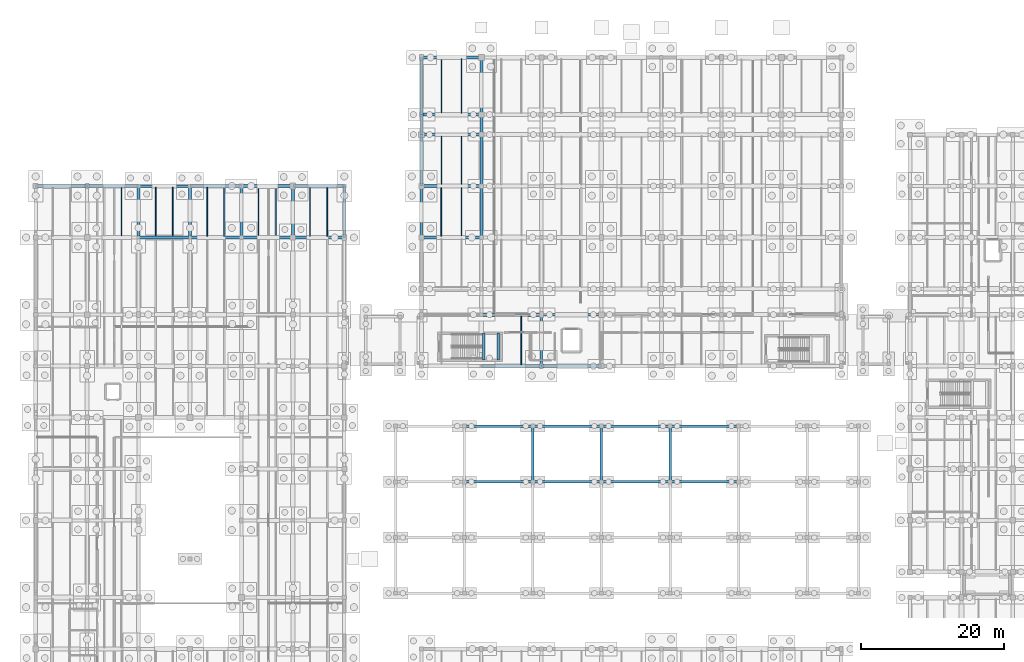
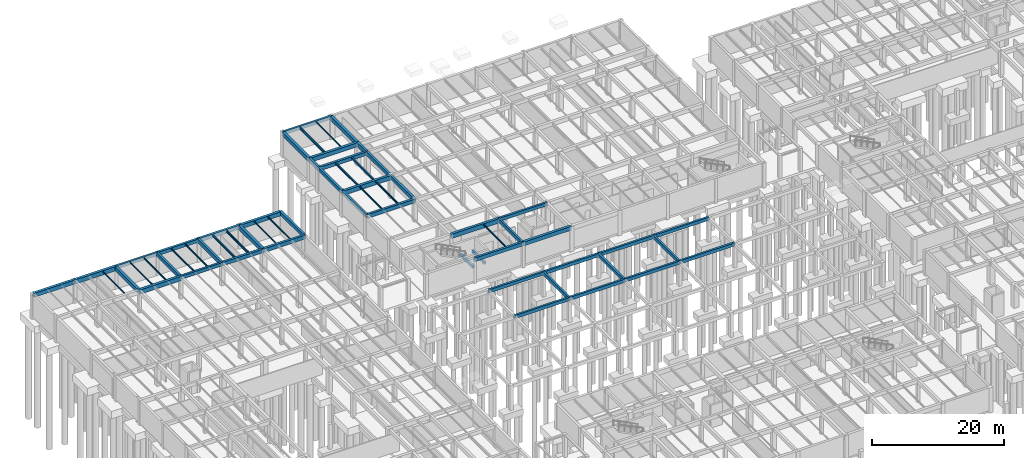
# One storey, part 30 of 63: 62 beams.
"""IFC4 building model written with IfcOpenShell, lengths in metres."""

from ifc_helpers import new_model, si_unit, direction, frame, origin, origin_2d, place, context, subcontext, project, spatial, rectangle, i_section, extrude, material, material_profile, profile_set, type_object, element, save


model = new_model("IFC4")

# Units and contexts
model_context = context("Model", 3, precision=1e-05, world=origin(), true_north=direction((0.0, 1.0)))
body_context = subcontext(model_context, "Body", "Model", "MODEL_VIEW")
ifc_project = project(units=[si_unit("LENGTHUNIT", "METRE"), si_unit("AREAUNIT", "SQUARE_METRE"), si_unit("VOLUMEUNIT", "CUBIC_METRE"), si_unit("PLANEANGLEUNIT", "RADIAN"), si_unit("MASSUNIT", "GRAM", prefix="KILO")], contexts=[model_context])

# Site, building, storey
site_placement = place(None, origin())
site = spatial("IfcSite", under=ifc_project, at=site_placement, CompositionType="ELEMENT")
building_placement = place(site_placement, origin())
building = spatial("IfcBuilding", under=site, at=building_placement, Name="Mazaris Harbour Polytechnic", CompositionType="ELEMENT")
storey_placement = place(building_placement, frame((0.0, 0.0, -4.5)))
storey = spatial("IfcBuildingStorey", under=building, at=storey_placement, Name="B1", CompositionType="ELEMENT", Elevation=-4.5)

# Beams
ifc_material_1 = material(Name="Concrete C35/45", Category="concrete")
ifc_material_profile_1 = material_profile(ifc_material_1, rectangle(XDim=0.35009765625, YDim=0.60009765625, at=origin_2d()), Name="RECT350x600")
ifc_profile_set_1 = profile_set([ifc_material_profile_1], Name="Concrete C35/45")
beam_type_1 = type_object("IfcBeamType", Name="RC Girder 350x600", PredefinedType="BEAM", material=ifc_profile_set_1)
beam_1_placement = place(storey_placement, frame((70.800048828125, 82.800048828125, 3.85009765625), z_axis=(1.0, 0.0, 0.0), x_axis=(0.0, 1.0, 0.0)))
element("IfcBeam", 1, at=beam_1_placement, inside=storey, type_object=beam_type_1, Name="V1 B1 Girder 10", PredefinedType="BEAM", context=body_context, shape_type="SweptSolid", body=[
    extrude(rectangle(XDim=0.35009765625, YDim=0.60009765625, at=origin_2d()), origin(), (0.0, 0.0, 1.0), 8.39990234375),
])
for number, where, z_axis, x_axis, name in (
    (2, (70.800048828125, 75.60009765625, 3.85009765625), (0.0, 1.0, 0.0), (-1.0, 0.0, 0.0), "V1 B1 Tie Girder 70"),
    (3, (21.60009765625, 93.60009765625, 3.8798828125), (1.0, 0.0, 0.0), (0.0, 1.0, 0.0), "V4 B1 Girder 1145"),
):
    element("IfcBeam", number, at=place(storey_placement, frame(where, z_axis=z_axis, x_axis=x_axis)), inside=storey, type_object=beam_type_1, Name=name, PredefinedType="BEAM", context=body_context, shape_type="SweptSolid", body=[
        extrude(rectangle(XDim=0.35009765625, YDim=0.60009765625, at=origin_2d()), origin(), (0.0, 0.0, 1.0), 7.199951171875),
    ])
beam_2_placement = place(storey_placement, frame((60.0, 59.39990234375, 3.89990234375), z_axis=(1.0, 0.0, 0.0), x_axis=(0.0, 1.0, 0.0)))
element("IfcBeam", 4, at=beam_2_placement, inside=storey, type_object=beam_type_1, Name="Courtyard Deck Girder X-3518", PredefinedType="BEAM", context=body_context, shape_type="SweptSolid", body=[
    extrude(rectangle(XDim=0.35009765625, YDim=0.60009765625, at=origin_2d()), origin(), (0.0, 0.0, 1.0), 9.60009765625),
])
beam_3_placement = place(storey_placement, frame((69.60009765625, 59.39990234375, 3.89990234375), z_axis=(1.0, 0.0, 0.0), x_axis=(0.0, 1.0, 0.0)))
element("IfcBeam", 5, at=beam_3_placement, inside=storey, type_object=beam_type_1, Name="Courtyard Deck Girder X-3519", PredefinedType="BEAM", context=body_context, shape_type="SweptSolid", body=[
    extrude(rectangle(XDim=0.35009765625, YDim=0.60009765625, at=origin_2d()), origin(), (0.0, 0.0, 1.0), 9.599853515625),
])
beam_4_placement = place(storey_placement, frame((79.199951171875, 59.39990234375, 3.89990234375), z_axis=(1.0, 0.0, 0.0), x_axis=(0.0, 1.0, 0.0)))
element("IfcBeam", 6, at=beam_4_placement, inside=storey, type_object=beam_type_1, Name="Courtyard Deck Girder X-3520", PredefinedType="BEAM", context=body_context, shape_type="SweptSolid", body=[
    extrude(rectangle(XDim=0.35009765625, YDim=0.60009765625, at=origin_2d()), origin(), (0.0, 0.0, 1.0), 9.60009765625),
])
beam_5_placement = place(storey_placement, frame((88.800048828125, 59.39990234375, 3.89990234375), z_axis=(1.0, 0.0, 0.0), x_axis=(0.0, 1.0, 0.0)))
element("IfcBeam", 7, at=beam_5_placement, inside=storey, type_object=beam_type_1, Name="Courtyard Deck Girder X-3521", PredefinedType="BEAM", context=body_context, shape_type="SweptSolid", body=[
    extrude(rectangle(XDim=0.35009765625, YDim=0.60009765625, at=origin_2d()), origin(), (0.0, 0.0, 1.0), 9.599853515625),
])
beam_6_placement = place(storey_placement, frame((60.0, 67.199951171875, 3.89990234375), z_axis=(1.0, 0.0, 0.0), x_axis=(0.0, 1.0, 0.0)))
element("IfcBeam", 8, at=beam_6_placement, inside=storey, type_object=beam_type_1, Name="Courtyard Deck Girder X-3525", PredefinedType="BEAM", context=body_context, shape_type="SweptSolid", body=[
    extrude(rectangle(XDim=0.35009765625, YDim=0.60009765625, at=origin_2d()), origin(), (0.0, 0.0, 1.0), 9.60009765625),
])
beam_7_placement = place(storey_placement, frame((69.60009765625, 67.199951171875, 3.89990234375), z_axis=(1.0, 0.0, 0.0), x_axis=(0.0, 1.0, 0.0)))
element("IfcBeam", 9, at=beam_7_placement, inside=storey, type_object=beam_type_1, Name="Courtyard Deck Girder X-3526", PredefinedType="BEAM", context=body_context, shape_type="SweptSolid", body=[
    extrude(rectangle(XDim=0.35009765625, YDim=0.60009765625, at=origin_2d()), origin(), (0.0, 0.0, 1.0), 9.599853515625),
])
beam_8_placement = place(storey_placement, frame((79.199951171875, 67.199951171875, 3.89990234375), z_axis=(1.0, 0.0, 0.0), x_axis=(0.0, 1.0, 0.0)))
element("IfcBeam", 10, at=beam_8_placement, inside=storey, type_object=beam_type_1, Name="Courtyard Deck Girder X-3527", PredefinedType="BEAM", context=body_context, shape_type="SweptSolid", body=[
    extrude(rectangle(XDim=0.35009765625, YDim=0.60009765625, at=origin_2d()), origin(), (0.0, 0.0, 1.0), 9.60009765625),
])
beam_9_placement = place(storey_placement, frame((88.800048828125, 67.199951171875, 3.89990234375), z_axis=(1.0, 0.0, 0.0), x_axis=(0.0, 1.0, 0.0)))
element("IfcBeam", 11, at=beam_9_placement, inside=storey, type_object=beam_type_1, Name="Courtyard Deck Girder X-3528", PredefinedType="BEAM", context=body_context, shape_type="SweptSolid", body=[
    extrude(rectangle(XDim=0.35009765625, YDim=0.60009765625, at=origin_2d()), origin(), (0.0, 0.0, 1.0), 9.599853515625),
])
for number, where, z_axis, x_axis, name in (
    (12, (69.60009765625, 59.39990234375, 3.89990234375), (0.0, 1.0, 0.0), (-1.0, 0.0, 0.0), "Courtyard Deck Girder Y-3539"),
    (13, (79.199951171875, 59.39990234375, 3.89990234375), (0.0, 1.0, 0.0), (-1.0, 0.0, 0.0), "Courtyard Deck Girder Y-3542"),
    (14, (88.800048828125, 59.39990234375, 3.89990234375), (0.0, 1.0, 0.0), (-1.0, 0.0, 0.0), "Courtyard Deck Girder Y-3545"),
):
    element("IfcBeam", number, at=place(storey_placement, frame(where, z_axis=z_axis, x_axis=x_axis)), inside=storey, type_object=beam_type_1, Name=name, PredefinedType="BEAM", context=body_context, shape_type="SweptSolid", body=[
        extrude(rectangle(XDim=0.35009765625, YDim=0.60009765625, at=origin_2d()), origin(), (0.0, 0.0, 1.0), 7.800048828125),
    ])
ifc_material_2 = material(Name="Concrete C35/45", Category="concrete")
ifc_material_profile_2 = material_profile(ifc_material_2, rectangle(XDim=0.35009765625, YDim=0.60009765625, at=origin_2d()), Name="RECT350x600")
ifc_profile_set_2 = profile_set([ifc_material_profile_2], Name="Concrete C35/45")
beam_type_2 = type_object("IfcBeamType", Name="RC Girder 350x600 Exterior", PredefinedType="BEAM", material=ifc_profile_set_2)
beam_10_placement = place(storey_placement, frame((54.0, 118.800048828125, 3.85009765625), z_axis=(1.0, 0.0, 0.0), x_axis=(0.0, 1.0, 0.0)))
element("IfcBeam", 15, at=beam_10_placement, inside=storey, type_object=beam_type_2, Name="V1 B1 Girder 50", PredefinedType="BEAM", context=body_context, shape_type="SweptSolid", body=[
    extrude(rectangle(XDim=0.35009765625, YDim=0.60009765625, at=origin_2d()), origin(), (0.0, 0.0, 1.0), 8.39990234375),
])
beam_11_placement = place(storey_placement, frame((54.0, 93.60009765625, 3.85009765625), z_axis=(0.0, 1.0, 0.0), x_axis=(-1.0, 0.0, 0.0)))
element("IfcBeam", 16, at=beam_11_placement, inside=storey, type_object=beam_type_2, Name="V1 B1 Tie Girder 60", PredefinedType="BEAM", context=body_context, shape_type="SweptSolid", body=[
    extrude(rectangle(XDim=0.35009765625, YDim=0.60009765625, at=origin_2d()), origin(), (0.0, 0.0, 1.0), 7.199951171875),
])
beam_12_placement = place(storey_placement, frame((14.39990234375, 100.800048828125, 3.8798828125), z_axis=(1.0, 0.0, 0.0), x_axis=(0.0, 1.0, 0.0)))
element("IfcBeam", 17, at=beam_12_placement, inside=storey, type_object=beam_type_2, Name="V4 B1 Girder 1150", PredefinedType="BEAM", context=body_context, shape_type="SweptSolid", body=[
    extrude(rectangle(XDim=0.35009765625, YDim=0.60009765625, at=origin_2d()), origin(), (0.0, 0.0, 1.0), 7.2001953125),
])
ifc_material_3 = material(Name="Concrete C35/45", Category="concrete")
ifc_material_profile_3 = material_profile(ifc_material_3, rectangle(XDim=0.39990234375, YDim=0.64990234375, at=origin_2d()), Name="RECT400x650")
ifc_profile_set_3 = profile_set([ifc_material_profile_3], Name="Concrete C35/45")
beam_type_3 = type_object("IfcBeamType", Name="RC Girder 400x650", PredefinedType="BEAM", material=ifc_profile_set_3)
beam_13_placement = place(storey_placement, frame((54.0, 108.0, 3.824951171875), z_axis=(1.0, 0.0, 0.0), x_axis=(0.0, 1.0, 0.0)))
element("IfcBeam", 18, at=beam_13_placement, inside=storey, type_object=beam_type_3, Name="V1 B1 Girder 36", PredefinedType="BEAM", context=body_context, shape_type="SweptSolid", body=[
    extrude(rectangle(XDim=0.39990234375, YDim=0.64990234375, at=origin_2d()), origin(), (0.0, 0.0, 1.0), 8.39990234375),
])
for number, where, z_axis, x_axis, name in (
    (19, (62.39990234375, 93.60009765625, 3.824951171875), (0.0, 1.0, 0.0), (-1.0, 0.0, 0.0), "V1 B1 Tie Girder 66"),
    (20, (28.800048828125, 93.60009765625, 3.85498046875), (1.0, 0.0, 0.0), (0.0, 1.0, 0.0), "V4 B1 Girder 1146"),
    (21, (21.60009765625, 93.60009765625, 3.85498046875), (0.0, 1.0, 0.0), (-1.0, 0.0, 0.0), "V4 B1 Tie Girder 1196"),
):
    element("IfcBeam", number, at=place(storey_placement, frame(where, z_axis=z_axis, x_axis=x_axis)), inside=storey, type_object=beam_type_3, Name=name, PredefinedType="BEAM", context=body_context, shape_type="SweptSolid", body=[
        extrude(rectangle(XDim=0.39990234375, YDim=0.64990234375, at=origin_2d()), origin(), (0.0, 0.0, 1.0), 7.199951171875),
    ])
ifc_material_4 = material(Name="Concrete C35/45", Category="concrete")
ifc_material_profile_4 = material_profile(ifc_material_4, rectangle(XDim=0.39990234375, YDim=0.64990234375, at=origin_2d()), Name="RECT400x650")
ifc_profile_set_4 = profile_set([ifc_material_profile_4], Name="Concrete C35/45")
beam_type_4 = type_object("IfcBeamType", Name="RC Girder 400x650 Exterior", PredefinedType="BEAM", material=ifc_profile_set_4)
for number, where, z_axis, x_axis, name in (
    (22, (54.0, 100.800048828125, 3.824951171875), (0.0, 1.0, 0.0), (-1.0, 0.0, 0.0), "V1 B1 Tie Girder 61"),
    (23, (21.60009765625, 100.800048828125, 3.85498046875), (1.0, 0.0, 0.0), (0.0, 1.0, 0.0), "V4 B1 Girder 1151"),
    (24, (43.199951171875, 93.60009765625, 3.85498046875), (0.0, 1.0, 0.0), (-1.0, 0.0, 0.0), "V4 B1 Tie Girder 1231"),
):
    element("IfcBeam", number, at=place(storey_placement, frame(where, z_axis=z_axis, x_axis=x_axis)), inside=storey, type_object=beam_type_4, Name=name, PredefinedType="BEAM", context=body_context, shape_type="SweptSolid", body=[
        extrude(rectangle(XDim=0.39990234375, YDim=0.64990234375, at=origin_2d()), origin(), (0.0, 0.0, 1.0), 7.199951171875),
    ])
ifc_material_5 = material(Name="Concrete C35/45", Category="concrete")
ifc_material_profile_5 = material_profile(ifc_material_5, rectangle(XDim=0.39990234375, YDim=0.699951171875, at=origin_2d()), Name="RECT400x700")
ifc_profile_set_5 = profile_set([ifc_material_profile_5], Name="Concrete C35/45")
beam_type_5 = type_object("IfcBeamType", Name="RC Girder 400x700", PredefinedType="BEAM", material=ifc_profile_set_5)
beam_14_placement = place(storey_placement, frame((54.0, 93.60009765625, 3.800048828125), z_axis=(1.0, 0.0, 0.0), x_axis=(0.0, 1.0, 0.0)))
element("IfcBeam", 25, at=beam_14_placement, inside=storey, type_object=beam_type_5, Name="V1 B1 Girder 22", PredefinedType="BEAM", context=body_context, shape_type="SweptSolid", body=[
    extrude(rectangle(XDim=0.39990234375, YDim=0.699951171875, at=origin_2d()), origin(), (0.0, 0.0, 1.0), 8.39990234375),
])
for number, where, z_axis, x_axis, name in (
    (26, (62.39990234375, 100.800048828125, 3.800048828125), (0.0, 1.0, 0.0), (-1.0, 0.0, 0.0), "V1 B1 Tie Girder 67"),
    (27, (36.0, 93.60009765625, 3.830078125), (1.0, 0.0, 0.0), (0.0, 1.0, 0.0), "V4 B1 Girder 1147"),
    (28, (28.800048828125, 93.60009765625, 3.830078125), (0.0, 1.0, 0.0), (-1.0, 0.0, 0.0), "V4 B1 Tie Girder 1207"),
):
    element("IfcBeam", number, at=place(storey_placement, frame(where, z_axis=z_axis, x_axis=x_axis)), inside=storey, type_object=beam_type_5, Name=name, PredefinedType="BEAM", context=body_context, shape_type="SweptSolid", body=[
        extrude(rectangle(XDim=0.39990234375, YDim=0.699951171875, at=origin_2d()), origin(), (0.0, 0.0, 1.0), 7.199951171875),
    ])
ifc_material_6 = material(Name="Concrete C35/45", Category="concrete")
ifc_material_profile_6 = material_profile(ifc_material_6, rectangle(XDim=0.39990234375, YDim=0.699951171875, at=origin_2d()), Name="RECT400x700")
ifc_profile_set_6 = profile_set([ifc_material_profile_6], Name="Concrete C35/45")
beam_type_6 = type_object("IfcBeamType", Name="RC Girder 400x700 Exterior", PredefinedType="BEAM", material=ifc_profile_set_6)
beam_15_placement = place(storey_placement, frame((62.39990234375, 75.60009765625, 3.800048828125), z_axis=(1.0, 0.0, 0.0), x_axis=(0.0, 1.0, 0.0)))
element("IfcBeam", 29, at=beam_15_placement, inside=storey, type_object=beam_type_6, Name="V1 B1 Girder 2", PredefinedType="BEAM", context=body_context, shape_type="SweptSolid", body=[
    extrude(rectangle(XDim=0.39990234375, YDim=0.699951171875, at=origin_2d()), origin(), (0.0, 0.0, 1.0), 8.400146484375),
])
beam_16_placement = place(storey_placement, frame((54.0, 108.0, 3.800048828125), z_axis=(0.0, 1.0, 0.0), x_axis=(-1.0, 0.0, 0.0)))
element("IfcBeam", 30, at=beam_16_placement, inside=storey, type_object=beam_type_6, Name="V1 B1 Tie Girder 62", PredefinedType="BEAM", context=body_context, shape_type="SweptSolid", body=[
    extrude(rectangle(XDim=0.39990234375, YDim=0.699951171875, at=origin_2d()), origin(), (0.0, 0.0, 1.0), 2.800048828125),
])
beam_17_placement = place(storey_placement, frame((28.800048828125, 100.800048828125, 3.830078125), z_axis=(1.0, 0.0, 0.0), x_axis=(0.0, 1.0, 0.0)))
element("IfcBeam", 31, at=beam_17_placement, inside=storey, type_object=beam_type_6, Name="V4 B1 Girder 1152", PredefinedType="BEAM", context=body_context, shape_type="SweptSolid", body=[
    extrude(rectangle(XDim=0.39990234375, YDim=0.699951171875, at=origin_2d()), origin(), (0.0, 0.0, 1.0), 7.199951171875),
])
ifc_material_7 = material(Name="Concrete C40/50", Category="concrete")
ifc_material_profile_7 = material_profile(ifc_material_7, rectangle(XDim=0.449951171875, YDim=0.75, at=origin_2d()), Name="RECT450x750")
ifc_profile_set_7 = profile_set([ifc_material_profile_7], Name="Concrete C40/50")
beam_type_7 = type_object("IfcBeamType", Name="RC Girder 450x750", PredefinedType="BEAM", material=ifc_profile_set_7)
beam_18_placement = place(storey_placement, frame((54.0, 110.800048828125, 3.77490234375), z_axis=(1.0, 0.0, 0.0), x_axis=(0.0, 1.0, 0.0)))
element("IfcBeam", 32, at=beam_18_placement, inside=storey, type_object=beam_type_7, Name="V1 B1 Girder 43", PredefinedType="BEAM", context=body_context, shape_type="SweptSolid", body=[
    extrude(rectangle(XDim=0.449951171875, YDim=0.75, at=origin_2d()), origin(), (0.0, 0.0, 1.0), 8.39990234375),
])
beam_19_placement = place(storey_placement, frame((62.39990234375, 108.0, 3.77490234375), z_axis=(0.0, 1.0, 0.0), x_axis=(-1.0, 0.0, 0.0)))
element("IfcBeam", 33, at=beam_19_placement, inside=storey, type_object=beam_type_7, Name="V1 B1 Tie Girder 68", PredefinedType="BEAM", context=body_context, shape_type="SweptSolid", body=[
    extrude(rectangle(XDim=0.449951171875, YDim=0.75, at=origin_2d()), origin(), (0.0, 0.0, 1.0), 2.800048828125),
])
beam_20_placement = place(storey_placement, frame((14.39990234375, 93.60009765625, 3.804931640625), z_axis=(0.0, 1.0, 0.0), x_axis=(-1.0, 0.0, 0.0)))
element("IfcBeam", 34, at=beam_20_placement, inside=storey, type_object=beam_type_7, Name="V4 B1 Tie Girder 1188", PredefinedType="BEAM", context=body_context, shape_type="SweptSolid", body=[
    extrude(rectangle(XDim=0.449951171875, YDim=0.75, at=origin_2d()), origin(), (0.0, 0.0, 1.0), 7.199951171875),
])
ifc_material_8 = material(Name="Concrete C40/50", Category="concrete")
ifc_material_profile_8 = material_profile(ifc_material_8, rectangle(XDim=0.449951171875, YDim=0.75, at=origin_2d()), Name="RECT450x750")
ifc_profile_set_8 = profile_set([ifc_material_profile_8], Name="Concrete C40/50")
beam_type_8 = type_object("IfcBeamType", Name="RC Girder 450x750 Exterior", PredefinedType="BEAM", material=ifc_profile_set_8)
beam_21_placement = place(storey_placement, frame((70.800048828125, 75.60009765625, 3.77490234375), z_axis=(1.0, 0.0, 0.0), x_axis=(0.0, 1.0, 0.0)))
element("IfcBeam", 35, at=beam_21_placement, inside=storey, type_object=beam_type_8, Name="V1 B1 Girder 3", PredefinedType="BEAM", context=body_context, shape_type="SweptSolid", body=[
    extrude(rectangle(XDim=0.449951171875, YDim=0.75, at=origin_2d()), origin(), (0.0, 0.0, 1.0), 8.39990234375),
])
beam_22_placement = place(storey_placement, frame((54.0, 110.800048828125, 3.77490234375), z_axis=(0.0, 1.0, 0.0), x_axis=(-1.0, 0.0, 0.0)))
element("IfcBeam", 36, at=beam_22_placement, inside=storey, type_object=beam_type_8, Name="V1 B1 Tie Girder 63", PredefinedType="BEAM", context=body_context, shape_type="SweptSolid", body=[
    extrude(rectangle(XDim=0.449951171875, YDim=0.75, at=origin_2d()), origin(), (0.0, 0.0, 1.0), 8.0),
])
for number, where, z_axis, x_axis, name in (
    (37, (0.0, 100.800048828125, 3.804931640625), (1.0, 0.0, 0.0), (0.0, 1.0, 0.0), "V4 B1 Girder 1148"),
    (38, (36.0, 100.800048828125, 3.804931640625), (1.0, 0.0, 0.0), (0.0, 1.0, 0.0), "V4 B1 Girder 1153"),
):
    element("IfcBeam", number, at=place(storey_placement, frame(where, z_axis=z_axis, x_axis=x_axis)), inside=storey, type_object=beam_type_8, Name=name, PredefinedType="BEAM", context=body_context, shape_type="SweptSolid", body=[
        extrude(rectangle(XDim=0.449951171875, YDim=0.75, at=origin_2d()), origin(), (0.0, 0.0, 1.0), 7.199951171875),
    ])
ifc_material_9 = material(Name="Concrete C40/50", Category="concrete")
ifc_material_profile_9 = material_profile(ifc_material_9, rectangle(XDim=0.449951171875, YDim=0.800048828125, at=origin_2d()), Name="RECT450x800")
ifc_profile_set_9 = profile_set([ifc_material_profile_9], Name="Concrete C40/50")
beam_type_9 = type_object("IfcBeamType", Name="RC Girder 450x800", PredefinedType="BEAM", material=ifc_profile_set_9)
beam_23_placement = place(storey_placement, frame((62.39990234375, 82.800048828125, 3.75), z_axis=(1.0, 0.0, 0.0), x_axis=(0.0, 1.0, 0.0)))
element("IfcBeam", 39, at=beam_23_placement, inside=storey, type_object=beam_type_9, Name="V1 B1 Girder 9", PredefinedType="BEAM", context=body_context, shape_type="SweptSolid", body=[
    extrude(rectangle(XDim=0.449951171875, YDim=0.800048828125, at=origin_2d()), origin(), (0.0, 0.0, 1.0), 8.400146484375),
])
beam_24_placement = place(storey_placement, frame((54.0, 100.800048828125, 3.75), z_axis=(1.0, 0.0, 0.0), x_axis=(0.0, 1.0, 0.0)))
element("IfcBeam", 40, at=beam_24_placement, inside=storey, type_object=beam_type_9, Name="V1 B1 Girder 29", PredefinedType="BEAM", context=body_context, shape_type="SweptSolid", body=[
    extrude(rectangle(XDim=0.449951171875, YDim=0.800048828125, at=origin_2d()), origin(), (0.0, 0.0, 1.0), 8.39990234375),
])
beam_25_placement = place(storey_placement, frame((62.39990234375, 110.800048828125, 3.75), z_axis=(0.0, 1.0, 0.0), x_axis=(-1.0, 0.0, 0.0)))
element("IfcBeam", 41, at=beam_25_placement, inside=storey, type_object=beam_type_9, Name="V1 B1 Tie Girder 69", PredefinedType="BEAM", context=body_context, shape_type="SweptSolid", body=[
    extrude(rectangle(XDim=0.449951171875, YDim=0.800048828125, at=origin_2d()), origin(), (0.0, 0.0, 1.0), 8.0),
])
beam_26_placement = place(storey_placement, frame((14.39990234375, 93.60009765625, 3.780029296875), z_axis=(1.0, 0.0, 0.0), x_axis=(0.0, 1.0, 0.0)))
element("IfcBeam", 42, at=beam_26_placement, inside=storey, type_object=beam_type_9, Name="V4 B1 Girder 1144", PredefinedType="BEAM", context=body_context, shape_type="SweptSolid", body=[
    extrude(rectangle(XDim=0.449951171875, YDim=0.800048828125, at=origin_2d()), origin(), (0.0, 0.0, 1.0), 7.2001953125),
])
beam_27_placement = place(storey_placement, frame((36.0, 93.60009765625, 3.780029296875), z_axis=(0.0, 1.0, 0.0), x_axis=(-1.0, 0.0, 0.0)))
element("IfcBeam", 43, at=beam_27_placement, inside=storey, type_object=beam_type_9, Name="V4 B1 Tie Girder 1219", PredefinedType="BEAM", context=body_context, shape_type="SweptSolid", body=[
    extrude(rectangle(XDim=0.449951171875, YDim=0.800048828125, at=origin_2d()), origin(), (0.0, 0.0, 1.0), 7.199951171875),
])
ifc_material_10 = material(Name="Concrete C40/50", Category="concrete")
ifc_material_profile_10 = material_profile(ifc_material_10, rectangle(XDim=0.449951171875, YDim=0.800048828125, at=origin_2d()), Name="RECT450x800")
ifc_profile_set_10 = profile_set([ifc_material_profile_10], Name="Concrete C40/50")
beam_type_10 = type_object("IfcBeamType", Name="RC Girder 450x800 Exterior", PredefinedType="BEAM", material=ifc_profile_set_10)
beam_28_placement = place(storey_placement, frame((7.199951171875, 100.800048828125, 3.780029296875), z_axis=(1.0, 0.0, 0.0), x_axis=(0.0, 1.0, 0.0)))
element("IfcBeam", 44, at=beam_28_placement, inside=storey, type_object=beam_type_10, Name="V4 B1 Girder 1149", PredefinedType="BEAM", context=body_context, shape_type="SweptSolid", body=[
    extrude(rectangle(XDim=0.449951171875, YDim=0.800048828125, at=origin_2d()), origin(), (0.0, 0.0, 1.0), 7.199951171875),
])
ifc_material_11 = material(Name="Concrete C40/50", Category="concrete")
ifc_material_profile_11 = material_profile(ifc_material_11, rectangle(XDim=0.35009765625, YDim=0.52001953125, at=origin_2d()), Name="RECT350x520")
ifc_profile_set_11 = profile_set([ifc_material_profile_11], Name="Concrete C40/50")
beam_type_11 = type_object("IfcBeamType", Name="RC Landing Bearer 350x520", PredefinedType="BEAM", material=ifc_profile_set_11)
for number, where, z_axis, x_axis, name in (
    (45, (62.699951171875, 76.449951171875, 1.7900390625), (0.0, 1.0, 0.0), (-1.0, 0.0, 0.0), "Core ST01 B1 Landing Bearer"),
    (46, (64.75, 76.449951171875, 1.7900390625), (0.0, 1.0, 0.0), (-1.0, 0.0, 0.0), "Core ST01 B1 Landing Bearer"),
):
    element("IfcBeam", number, at=place(storey_placement, frame(where, z_axis=z_axis, x_axis=x_axis)), inside=storey, type_object=beam_type_11, Name=name, PredefinedType="BEAM", context=body_context, shape_type="SweptSolid", body=[
        extrude(rectangle(XDim=0.35009765625, YDim=0.52001953125, at=origin_2d()), origin(), (0.0, 0.0, 1.0), 3.75),
    ])
ifc_material_12 = material(Name="Steel S355", Category="steel")
ifc_material_profile_12 = material_profile(ifc_material_12, i_section(OverallWidth=0.10009765625, OverallDepth=0.199951171875, WebThickness=0.005615234375, FlangeThickness=0.008544921875, FilletRadius=0.011962890625, at=origin_2d()), Name="IPE 200")
ifc_profile_set_12 = profile_set([ifc_material_profile_12], Name="Steel S355")
beam_type_12 = type_object("IfcBeamType", Name="Steel Joist IPE200", PredefinedType="JOIST", material=ifc_profile_set_12)
beam_29_placement = place(storey_placement, frame((59.60009765625, 111.02490234375, 4.050048828125), z_axis=(0.0, 1.0, 0.0), x_axis=(-1.0, 0.0, 0.0)))
element("IfcBeam", 47, at=beam_29_placement, inside=storey, type_object=beam_type_12, Name="V1 B1 Floor Joist 119", PredefinedType="JOIST", context=body_context, shape_type="SweptSolid", body=[
    extrude(i_section(OverallWidth=0.10009765625, OverallDepth=0.199951171875, WebThickness=0.005615234375, FlangeThickness=0.008544921875, FilletRadius=0.011962890625, at=origin_2d()), origin(), (0.0, 0.0, 1.0), 7.60009765625),
])
beam_30_placement = place(storey_placement, frame((12.0, 93.824951171875, 4.080078125), z_axis=(0.0, 1.0, 0.0), x_axis=(-1.0, 0.0, 0.0)))
element("IfcBeam", 48, at=beam_30_placement, inside=storey, type_object=beam_type_12, Name="V4 B1 Floor Joist 1274", PredefinedType="JOIST", context=body_context, shape_type="SweptSolid", body=[
    extrude(i_section(OverallWidth=0.10009765625, OverallDepth=0.199951171875, WebThickness=0.005615234375, FlangeThickness=0.008544921875, FilletRadius=0.011962890625, at=origin_2d()), origin(), (0.0, 0.0, 1.0), 6.75),
])
beam_31_placement = place(storey_placement, frame((38.39990234375, 93.800048828125, 4.080078125), z_axis=(0.0, 1.0, 0.0), x_axis=(-1.0, 0.0, 0.0)))
element("IfcBeam", 49, at=beam_31_placement, inside=storey, type_object=beam_type_12, Name="V4 B1 Floor Joist 1351", PredefinedType="JOIST", context=body_context, shape_type="SweptSolid", body=[
    extrude(i_section(OverallWidth=0.10009765625, OverallDepth=0.199951171875, WebThickness=0.005615234375, FlangeThickness=0.008544921875, FilletRadius=0.011962890625, at=origin_2d()), origin(), (0.0, 0.0, 1.0), 6.77490234375),
])
ifc_material_13 = material(Name="Steel S355", Category="steel")
ifc_material_profile_13 = material_profile(ifc_material_13, i_section(OverallWidth=0.1201171875, OverallDepth=0.239990234375, WebThickness=0.006103515625, FlangeThickness=0.009765625, FilletRadius=0.014892578125, at=origin_2d()), Name="IPE 240")
ifc_profile_set_13 = profile_set([ifc_material_profile_13], Name="Steel S355")
beam_type_13 = type_object("IfcBeamType", Name="Steel Joist IPE240", PredefinedType="JOIST", material=ifc_profile_set_13)
beam_32_placement = place(storey_placement, frame((68.0, 75.800048828125, 4.030029296875), z_axis=(0.0, 1.0, 0.0), x_axis=(-1.0, 0.0, 0.0)))
element("IfcBeam", 50, at=beam_32_placement, inside=storey, type_object=beam_type_13, Name="V1 B1 Floor Joist 120", PredefinedType="JOIST", context=body_context, shape_type="SweptSolid", body=[
    extrude(i_section(OverallWidth=0.1201171875, OverallDepth=0.239990234375, WebThickness=0.006103515625, FlangeThickness=0.009765625, FilletRadius=0.014892578125, at=origin_2d()), origin(), (0.0, 0.0, 1.0), 6.77490234375),
])
beam_33_placement = place(storey_placement, frame((16.800048828125, 93.824951171875, 4.06005859375), z_axis=(0.0, 1.0, 0.0), x_axis=(-1.0, 0.0, 0.0)))
element("IfcBeam", 51, at=beam_33_placement, inside=storey, type_object=beam_type_13, Name="V4 B1 Floor Joist 1289", PredefinedType="JOIST", context=body_context, shape_type="SweptSolid", body=[
    extrude(i_section(OverallWidth=0.1201171875, OverallDepth=0.239990234375, WebThickness=0.006103515625, FlangeThickness=0.009765625, FilletRadius=0.014892578125, at=origin_2d()), origin(), (0.0, 0.0, 1.0), 6.800048828125),
])
beam_34_placement = place(storey_placement, frame((40.800048828125, 93.800048828125, 4.06005859375), z_axis=(0.0, 1.0, 0.0), x_axis=(-1.0, 0.0, 0.0)))
element("IfcBeam", 52, at=beam_34_placement, inside=storey, type_object=beam_type_13, Name="V4 B1 Floor Joist 1352", PredefinedType="JOIST", context=body_context, shape_type="SweptSolid", body=[
    extrude(i_section(OverallWidth=0.1201171875, OverallDepth=0.239990234375, WebThickness=0.006103515625, FlangeThickness=0.009765625, FilletRadius=0.014892578125, at=origin_2d()), origin(), (0.0, 0.0, 1.0), 6.77490234375),
])
ifc_material_14 = material(Name="Steel S355", Category="steel")
ifc_material_profile_14 = material_profile(ifc_material_14, i_section(OverallWidth=0.135009765625, OverallDepth=0.27001953125, WebThickness=0.006591796875, FlangeThickness=0.01025390625, FilletRadius=0.014892578125, at=origin_2d()), Name="IPE 270")
ifc_profile_set_14 = profile_set([ifc_material_profile_14], Name="Steel S355")
beam_type_14 = type_object("IfcBeamType", Name="Steel Joist IPE270", PredefinedType="JOIST", material=ifc_profile_set_14)
beam_35_placement = place(storey_placement, frame((56.800048828125, 93.800048828125, 4.014892578125), z_axis=(0.0, 1.0, 0.0), x_axis=(-1.0, 0.0, 0.0)))
element("IfcBeam", 53, at=beam_35_placement, inside=storey, type_object=beam_type_14, Name="V1 B1 Floor Joist 114", PredefinedType="JOIST", context=body_context, shape_type="SweptSolid", body=[
    extrude(i_section(OverallWidth=0.135009765625, OverallDepth=0.27001953125, WebThickness=0.006591796875, FlangeThickness=0.01025390625, FilletRadius=0.014892578125, at=origin_2d()), origin(), (0.0, 0.0, 1.0), 6.77490234375),
])
beam_36_placement = place(storey_placement, frame((19.199951171875, 93.824951171875, 4.044921875), z_axis=(0.0, 1.0, 0.0), x_axis=(-1.0, 0.0, 0.0)))
element("IfcBeam", 54, at=beam_36_placement, inside=storey, type_object=beam_type_14, Name="V4 B1 Floor Joist 1290", PredefinedType="JOIST", context=body_context, shape_type="SweptSolid", body=[
    extrude(i_section(OverallWidth=0.135009765625, OverallDepth=0.27001953125, WebThickness=0.006591796875, FlangeThickness=0.01025390625, FilletRadius=0.014892578125, at=origin_2d()), origin(), (0.0, 0.0, 1.0), 6.800048828125),
])
beam_37_placement = place(storey_placement, frame((24.0, 93.77490234375, 4.044921875), z_axis=(0.0, 1.0, 0.0), x_axis=(-1.0, 0.0, 0.0)))
element("IfcBeam", 55, at=beam_37_placement, inside=storey, type_object=beam_type_14, Name="V4 B1 Floor Joist 1304", PredefinedType="JOIST", context=body_context, shape_type="SweptSolid", body=[
    extrude(i_section(OverallWidth=0.135009765625, OverallDepth=0.27001953125, WebThickness=0.006591796875, FlangeThickness=0.01025390625, FilletRadius=0.014892578125, at=origin_2d()), origin(), (0.0, 0.0, 1.0), 6.8251953125),
])
ifc_material_15 = material(Name="Steel S355", Category="steel")
ifc_material_profile_15 = material_profile(ifc_material_15, i_section(OverallWidth=0.14990234375, OverallDepth=0.300048828125, WebThickness=0.007080078125, FlangeThickness=0.0107421875, FilletRadius=0.014892578125, at=origin_2d()), Name="IPE 300")
ifc_profile_set_15 = profile_set([ifc_material_profile_15], Name="Steel S355")
beam_type_15 = type_object("IfcBeamType", Name="Steel Joist IPE300", PredefinedType="JOIST", material=ifc_profile_set_15)
beam_38_placement = place(storey_placement, frame((59.60009765625, 93.800048828125, 4.0), z_axis=(0.0, 1.0, 0.0), x_axis=(-1.0, 0.0, 0.0)))
element("IfcBeam", 56, at=beam_38_placement, inside=storey, type_object=beam_type_15, Name="V1 B1 Floor Joist 115", PredefinedType="JOIST", context=body_context, shape_type="SweptSolid", body=[
    extrude(i_section(OverallWidth=0.14990234375, OverallDepth=0.300048828125, WebThickness=0.007080078125, FlangeThickness=0.0107421875, FilletRadius=0.014892578125, at=origin_2d()), origin(), (0.0, 0.0, 1.0), 6.77490234375),
])
beam_39_placement = place(storey_placement, frame((26.39990234375, 93.77490234375, 4.030029296875), z_axis=(0.0, 1.0, 0.0), x_axis=(-1.0, 0.0, 0.0)))
element("IfcBeam", 57, at=beam_39_placement, inside=storey, type_object=beam_type_15, Name="V4 B1 Floor Joist 1305", PredefinedType="JOIST", context=body_context, shape_type="SweptSolid", body=[
    extrude(i_section(OverallWidth=0.14990234375, OverallDepth=0.300048828125, WebThickness=0.007080078125, FlangeThickness=0.0107421875, FilletRadius=0.014892578125, at=origin_2d()), origin(), (0.0, 0.0, 1.0), 6.8251953125),
])
ifc_material_16 = material(Name="Steel S355", Category="steel")
ifc_material_profile_16 = material_profile(ifc_material_16, i_section(OverallWidth=0.169921875, OverallDepth=0.360107421875, WebThickness=0.008056640625, FlangeThickness=0.0126953125, FilletRadius=0.01806640625, at=origin_2d()), Name="IPE 360")
ifc_profile_set_16 = profile_set([ifc_material_profile_16], Name="Steel S355")
beam_type_16 = type_object("IfcBeamType", Name="Steel Joist IPE360", PredefinedType="JOIST", material=ifc_profile_set_16)
beam_40_placement = place(storey_placement, frame((56.800048828125, 101.02490234375, 3.969970703125), z_axis=(0.0, 1.0, 0.0), x_axis=(-1.0, 0.0, 0.0)))
element("IfcBeam", 58, at=beam_40_placement, inside=storey, type_object=beam_type_16, Name="V1 B1 Floor Joist 116", PredefinedType="JOIST", context=body_context, shape_type="SweptSolid", body=[
    extrude(i_section(OverallWidth=0.169921875, OverallDepth=0.360107421875, WebThickness=0.008056640625, FlangeThickness=0.0126953125, FilletRadius=0.01806640625, at=origin_2d()), origin(), (0.0, 0.0, 1.0), 6.775146484375),
])
beam_41_placement = place(storey_placement, frame((31.199951171875, 93.800048828125, 4.0), z_axis=(0.0, 1.0, 0.0), x_axis=(-1.0, 0.0, 0.0)))
element("IfcBeam", 59, at=beam_41_placement, inside=storey, type_object=beam_type_16, Name="V4 B1 Floor Joist 1327", PredefinedType="JOIST", context=body_context, shape_type="SweptSolid", body=[
    extrude(i_section(OverallWidth=0.169921875, OverallDepth=0.360107421875, WebThickness=0.008056640625, FlangeThickness=0.0126953125, FilletRadius=0.01806640625, at=origin_2d()), origin(), (0.0, 0.0, 1.0), 6.800048828125),
])
ifc_material_17 = material(Name="Steel S355", Category="steel")
ifc_material_profile_17 = material_profile(ifc_material_17, i_section(OverallWidth=0.179931640625, OverallDepth=0.39990234375, WebThickness=0.008544921875, FlangeThickness=0.013427734375, FilletRadius=0.02099609375, at=origin_2d()), Name="IPE 400")
ifc_profile_set_17 = profile_set([ifc_material_profile_17], Name="Steel S355")
beam_type_17 = type_object("IfcBeamType", Name="Steel Joist IPE400", PredefinedType="JOIST", material=ifc_profile_set_17)
beam_42_placement = place(storey_placement, frame((59.60009765625, 101.02490234375, 3.949951171875), z_axis=(0.0, 1.0, 0.0), x_axis=(-1.0, 0.0, 0.0)))
element("IfcBeam", 60, at=beam_42_placement, inside=storey, type_object=beam_type_17, Name="V1 B1 Floor Joist 117", PredefinedType="JOIST", context=body_context, shape_type="SweptSolid", body=[
    extrude(i_section(OverallWidth=0.179931640625, OverallDepth=0.39990234375, WebThickness=0.008544921875, FlangeThickness=0.013427734375, FilletRadius=0.02099609375, at=origin_2d()), origin(), (0.0, 0.0, 1.0), 6.775146484375),
])
beam_43_placement = place(storey_placement, frame((33.60009765625, 93.800048828125, 3.97998046875), z_axis=(0.0, 1.0, 0.0), x_axis=(-1.0, 0.0, 0.0)))
element("IfcBeam", 61, at=beam_43_placement, inside=storey, type_object=beam_type_17, Name="V4 B1 Floor Joist 1328", PredefinedType="JOIST", context=body_context, shape_type="SweptSolid", body=[
    extrude(i_section(OverallWidth=0.179931640625, OverallDepth=0.39990234375, WebThickness=0.008544921875, FlangeThickness=0.013427734375, FilletRadius=0.02099609375, at=origin_2d()), origin(), (0.0, 0.0, 1.0), 6.800048828125),
])
ifc_material_18 = material(Name="Steel S355", Category="steel")
ifc_material_profile_18 = material_profile(ifc_material_18, i_section(OverallWidth=0.18994140625, OverallDepth=0.449951171875, WebThickness=0.009521484375, FlangeThickness=0.0146484375, FilletRadius=0.02099609375, at=origin_2d()), Name="IPE 450")
ifc_profile_set_18 = profile_set([ifc_material_profile_18], Name="Steel S355")
beam_type_18 = type_object("IfcBeamType", Name="Steel Joist IPE450", PredefinedType="JOIST", material=ifc_profile_set_18)
beam_44_placement = place(storey_placement, frame((56.800048828125, 111.02490234375, 3.925048828125), z_axis=(0.0, 1.0, 0.0), x_axis=(-1.0, 0.0, 0.0)))
element("IfcBeam", 62, at=beam_44_placement, inside=storey, type_object=beam_type_18, Name="V1 B1 Floor Joist 118", PredefinedType="JOIST", context=body_context, shape_type="SweptSolid", body=[
    extrude(i_section(OverallWidth=0.18994140625, OverallDepth=0.449951171875, WebThickness=0.009521484375, FlangeThickness=0.0146484375, FilletRadius=0.02099609375, at=origin_2d()), origin(), (0.0, 0.0, 1.0), 7.60009765625),
])

save(model, "model.ifc")
